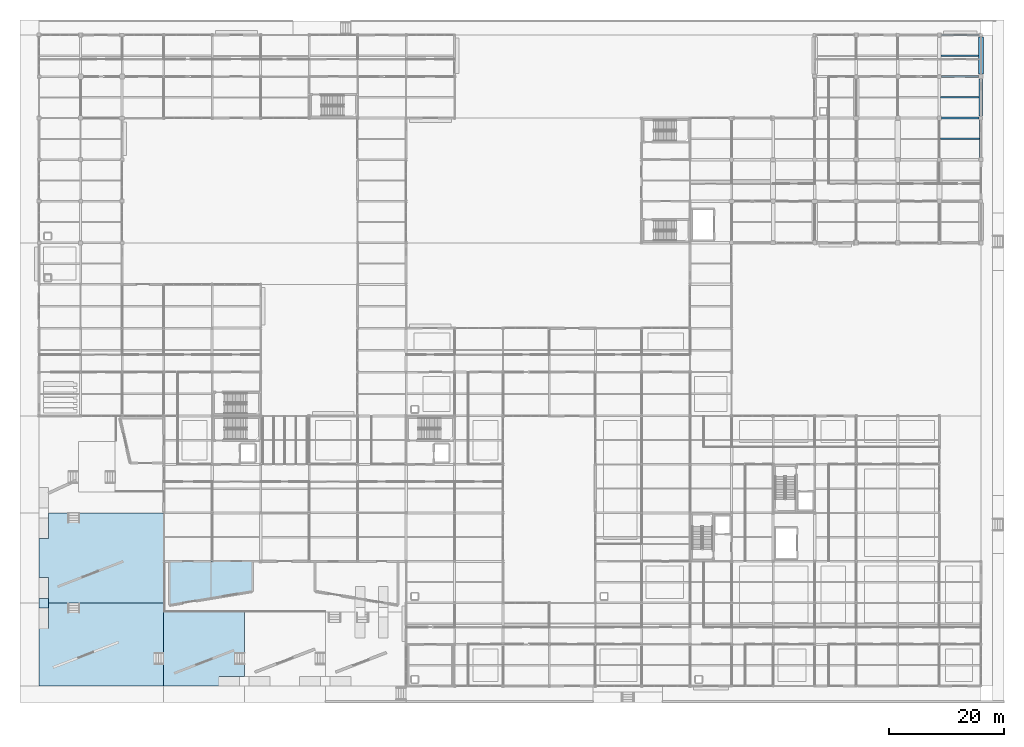
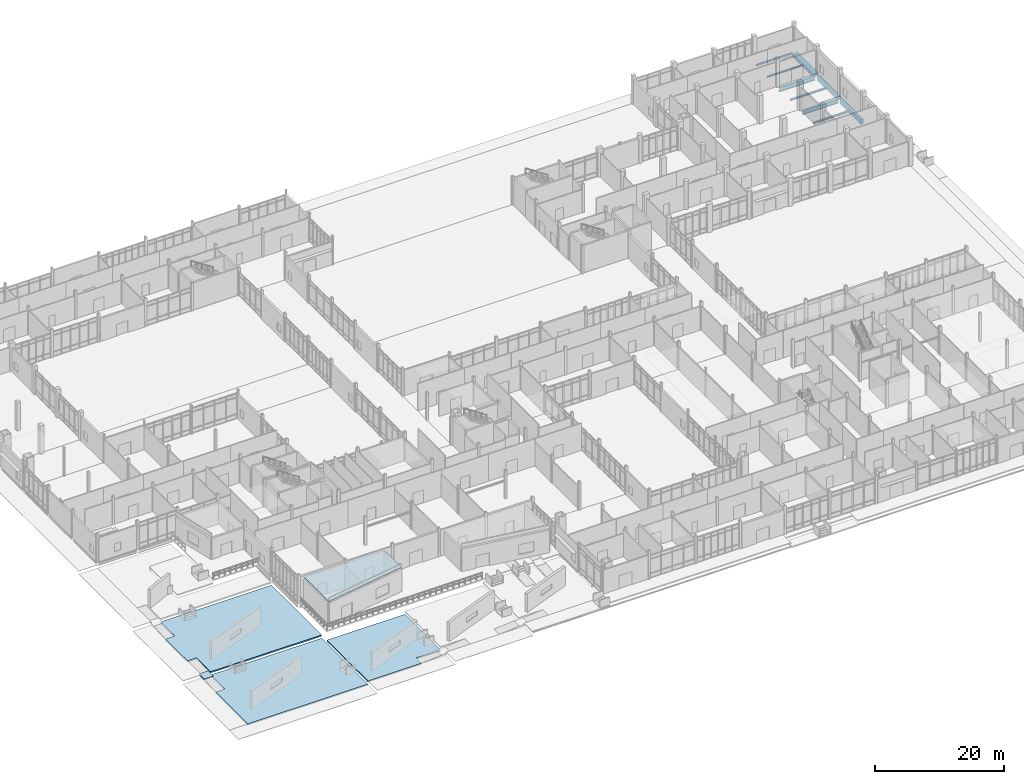
# One storey, part 137 of 229: 9 beams, 5 slabs, 1 element without a shape of its own.
"""IFC4 building model written with IfcOpenShell, lengths in metres."""

from ifc_helpers import new_model, si_unit, direction, frame, origin, origin_2d, place, context, subcontext, project, spatial, polyline, rectangle, hollow_rectangle, i_section, outline, extrude, material, layer, layer_set, material_profile, profile_set, type_object, element, aggregate, save


model = new_model("IFC4")

# Units and contexts
model_context = context("Model", 3, precision=1e-05, world=origin(), true_north=direction((0.0, 1.0)))
body_context = subcontext(model_context, "Body", "Model", "MODEL_VIEW")
ifc_project = project(units=[si_unit("LENGTHUNIT", "METRE"), si_unit("AREAUNIT", "SQUARE_METRE"), si_unit("VOLUMEUNIT", "CUBIC_METRE"), si_unit("PLANEANGLEUNIT", "RADIAN"), si_unit("MASSUNIT", "GRAM", prefix="KILO")], contexts=[model_context])

# Site, building, storey
site_placement = place(None, origin())
site = spatial("IfcSite", under=ifc_project, at=site_placement, CompositionType="ELEMENT")
building_placement = place(site_placement, origin())
building = spatial("IfcBuilding", under=site, at=building_placement, Name="Calvrana Isthmian Art Gallery", CompositionType="ELEMENT")
storey_placement = place(building_placement, origin())
storey = spatial("IfcBuildingStorey", under=building, at=storey_placement, Name="L00", CompositionType="ELEMENT", Elevation=0.0)

# Beams
ifc_material_1 = material(Name="Steel ASTM A992 Gr 50", Category="steel")
ifc_material_profile_1 = material_profile(ifc_material_1, i_section(OverallWidth=0.381103515625, OverallDepth=0.77197265625, WebThickness=0.0166015625, FlangeThickness=0.027099609375, FilletRadius=0.02490234375, at=origin_2d()), Name="W30X173")
ifc_profile_set_1 = profile_set([ifc_material_profile_1], Name="Steel ASTM A992 Gr 50")
beam_type_1 = type_object("IfcBeamType", Name="BM-G-W30X173", PredefinedType="BEAM", material=ifc_profile_set_1)
beam_1_placement = place(storey_placement, frame((156.39990234375, 98.39990234375, -0.740966796875), z_axis=(1.0, 0.0, 0.0), x_axis=(0.0, 1.0, 0.0)))
element("IfcBeam", 1, at=beam_1_placement, inside=storey, type_object=beam_type_1, Name="Girder X L00 21-22/N", PredefinedType="BEAM", context=body_context, shape_type="SweptSolid", body=[
    extrude(i_section(OverallWidth=0.381103515625, OverallDepth=0.77197265625, WebThickness=0.0166015625, FlangeThickness=0.027099609375, FilletRadius=0.02490234375, at=origin_2d()), origin(), (0.0, 0.0, 1.0), 6.4501953125),
])
beam_2_placement = place(storey_placement, frame((156.35009765625, 105.60009765625, -0.740966796875), z_axis=(1.0, 0.0, 0.0), x_axis=(0.0, 1.0, 0.0)))
element("IfcBeam", 2, at=beam_2_placement, inside=storey, type_object=beam_type_1, Name="Girder X L00 21-22/O", PredefinedType="BEAM", context=body_context, shape_type="SweptSolid", body=[
    extrude(i_section(OverallWidth=0.381103515625, OverallDepth=0.77197265625, WebThickness=0.0166015625, FlangeThickness=0.027099609375, FilletRadius=0.02490234375, at=origin_2d()), origin(), (0.0, 0.0, 1.0), 6.449951171875),
])
ifc_material_profile_2 = material_profile(ifc_material_1, i_section(OverallWidth=0.202880859375, OverallDepth=0.302001953125, WebThickness=0.007568359375, FlangeThickness=0.01318359375, FilletRadius=0.01611328125, at=origin_2d()), Name="W12X40")
ifc_profile_set_2 = profile_set([ifc_material_profile_2], Name="Steel ASTM A992 Gr 50")
beam_type_2 = type_object("IfcBeamType", Name="BM-J-W12X40", PredefinedType="JOIST", material=ifc_profile_set_2)
beam_3_placement = place(storey_placement, frame((156.300048828125, 109.199951171875, -0.506103515625), z_axis=(1.0, 0.0, 0.0), x_axis=(0.0, 1.0, 0.0)))
element("IfcBeam", 3, at=beam_3_placement, inside=storey, type_object=beam_type_2, Name="Composite joist L00 bay 20-14", PredefinedType="JOIST", context=body_context, shape_type="SweptSolid", body=[
    extrude(i_section(OverallWidth=0.202880859375, OverallDepth=0.302001953125, WebThickness=0.007568359375, FlangeThickness=0.01318359375, FilletRadius=0.01611328125, at=origin_2d()), origin(), (0.0, 0.0, 1.0), 6.449951171875),
])
ifc_material_profile_3 = material_profile(ifc_material_1, i_section(OverallWidth=0.25390625, OverallDepth=0.306884765625, WebThickness=0.0087890625, FlangeThickness=0.0146484375, FilletRadius=0.01611328125, at=origin_2d()), Name="W12X53")
ifc_profile_set_3 = profile_set([ifc_material_profile_3], Name="Steel ASTM A992 Gr 50")
beam_type_3 = type_object("IfcBeamType", Name="BM-J-W12X53", PredefinedType="JOIST", material=ifc_profile_set_3)
beam_4_placement = place(storey_placement, frame((156.22509765625, 102.0, -0.508544921875), z_axis=(1.0, 0.0, 0.0), x_axis=(0.0, 1.0, 0.0)))
element("IfcBeam", 4, at=beam_4_placement, inside=storey, type_object=beam_type_3, Name="Composite joist L00 bay 20-13", PredefinedType="JOIST", context=body_context, shape_type="SweptSolid", body=[
    extrude(i_section(OverallWidth=0.25390625, OverallDepth=0.306884765625, WebThickness=0.0087890625, FlangeThickness=0.0146484375, FilletRadius=0.01611328125, at=origin_2d()), origin(), (0.0, 0.0, 1.0), 6.6748046875),
])
ifc_material_profile_4 = material_profile(ifc_material_1, i_section(OverallWidth=0.25390625, OverallDepth=0.35302734375, WebThickness=0.009521484375, FlangeThickness=0.016357421875, FilletRadius=0.01806640625, at=origin_2d()), Name="W14X61")
ifc_profile_set_4 = profile_set([ifc_material_profile_4], Name="Steel ASTM A992 Gr 50")
beam_type_4 = type_object("IfcBeamType", Name="BM-J-W14X61", PredefinedType="JOIST", material=ifc_profile_set_4)
beam_5_placement = place(storey_placement, frame((156.199951171875, 94.800048828125, -0.531494140625), z_axis=(1.0, 0.0, 0.0), x_axis=(0.0, 1.0, 0.0)))
element("IfcBeam", 5, at=beam_5_placement, inside=storey, type_object=beam_type_4, Name="Composite joist L00 bay 20-12", PredefinedType="JOIST", context=body_context, shape_type="SweptSolid", body=[
    extrude(i_section(OverallWidth=0.25390625, OverallDepth=0.35302734375, WebThickness=0.009521484375, FlangeThickness=0.016357421875, FilletRadius=0.01806640625, at=origin_2d()), origin(), (0.0, 0.0, 1.0), 6.775146484375),
])
ifc_material_2 = material(Name="Concrete C40/50", Category="concrete")
ifc_material_profile_5 = material_profile(ifc_material_2, rectangle(XDim=0.449951171875, YDim=0.85009765625, at=origin_2d()), Name="RC450X850")
ifc_profile_set_5 = profile_set([ifc_material_profile_5], Name="Concrete C40/50")
beam_type_5 = type_object("IfcBeamType", Name="BM-RC-450X850", PredefinedType="BEAM", material=ifc_profile_set_5)
beam_6_placement = place(storey_placement, frame((163.199951171875, 91.60009765625, -0.780029296875), z_axis=(0.0, 1.0, 0.0), x_axis=(-1.0, 0.0, 0.0)))
element("IfcBeam", 6, at=beam_6_placement, inside=storey, type_object=beam_type_5, Name="Girder Y L00 22/M-N", PredefinedType="BEAM", context=body_context, shape_type="SweptSolid", body=[
    extrude(rectangle(XDim=0.449951171875, YDim=0.85009765625, at=origin_2d()), origin(), (0.0, 0.0, 1.0), 6.449951171875),
])
ifc_material_profile_6 = material_profile(ifc_material_2, rectangle(XDim=0.60009765625, YDim=0.60009765625, at=origin_2d()), Name="RC600X600")
ifc_profile_set_6 = profile_set([ifc_material_profile_6], Name="Concrete C40/50")
beam_type_6 = type_object("IfcBeamType", Name="BM-RC-600X600", PredefinedType="BEAM", material=ifc_profile_set_6)
beam_7_placement = place(storey_placement, frame((163.199951171875, 98.75, -0.655029296875), z_axis=(0.0, 1.0, 0.0), x_axis=(-1.0, 0.0, 0.0)))
element("IfcBeam", 7, at=beam_7_placement, inside=storey, type_object=beam_type_6, Name="Girder Y L00 22/N-O", PredefinedType="BEAM", context=body_context, shape_type="SweptSolid", body=[
    extrude(rectangle(XDim=0.60009765625, YDim=0.60009765625, at=origin_2d()), origin(), (0.0, 0.0, 1.0), 6.449951171875),
])
ifc_material_profile_7 = material_profile(ifc_material_2, rectangle(XDim=0.89990234375, YDim=0.60009765625, at=origin_2d()), Name="RC900X600")
ifc_profile_set_7 = profile_set([ifc_material_profile_7], Name="Concrete C40/50")
beam_type_7 = type_object("IfcBeamType", Name="BM-RC-900X600", PredefinedType="BEAM", material=ifc_profile_set_7)
beam_8_placement = place(storey_placement, frame((163.199951171875, 106.0, -0.655029296875), z_axis=(0.0, 1.0, 0.0), x_axis=(-1.0, 0.0, 0.0)))
element("IfcBeam", 8, at=beam_8_placement, inside=storey, type_object=beam_type_7, Name="Girder Y L00 22/O-P", PredefinedType="BEAM", context=body_context, shape_type="SweptSolid", body=[
    extrude(rectangle(XDim=0.89990234375, YDim=0.60009765625, at=origin_2d()), origin(), (0.0, 0.0, 1.0), 6.449951171875),
])
ifc_material_3 = material(Name="Steel ASTM A500 Gr C", Category="steel")
ifc_material_profile_8 = material_profile(ifc_material_3, hollow_rectangle(XDim=0.203125, YDim=0.3046875, WallThickness=0.0126953125, OuterFilletRadius=0.02490234375, at=origin_2d()), Name="HSS305X203X12.7")
ifc_profile_set_8 = profile_set([ifc_material_profile_8], Name="Steel ASTM A500 Gr C")
beam_type_8 = type_object("IfcBeamType", Name="BM-SP-HSS305", PredefinedType="SPANDREL", material=ifc_profile_set_8)
beam_9_placement = place(storey_placement, frame((156.39990234375, 112.800048828125, -0.50732421875), z_axis=(1.0, 0.0, 0.0), x_axis=(0.0, 1.0, 0.0)))
element("IfcBeam", 9, at=beam_9_placement, inside=storey, type_object=beam_type_8, Name="Girder X L00 21-22/P", PredefinedType="SPANDREL", context=body_context, shape_type="SweptSolid", body=[
    extrude(hollow_rectangle(XDim=0.203125, YDim=0.3046875, WallThickness=0.0126953125, OuterFilletRadius=0.02490234375, at=origin_2d()), origin(), (0.0, 0.0, 1.0), 6.4501953125),
])

# Ramp, slab
ramp_type = type_object("IfcRampType", Name="RMP-SENADIS-165", PredefinedType="STRAIGHT_RUN_RAMP", material=ifc_material_2)
ramp_placement = place(storey_placement, origin())
ramp = element("IfcRamp", 10, at=ramp_placement, inside=storey, type_object=ramp_type, Name="SENADIS universal access ramp RMP-01", PredefinedType="STRAIGHT_RUN_RAMP")
ifc_layer_1 = layer(ifc_material_2, 0.199951171875, Name="Concrete C40/50")
ifc_layer_set_1 = layer_set([ifc_layer_1], Name="Concrete C40/50")
slab_type_1 = type_object("IfcSlabType", Name="SLB-LAND-200", PredefinedType="LANDING", material=ifc_layer_set_1)
slab_1_placement = place(storey_placement, frame((0.0, 0.0, -2.300048828125)))
slab_1 = element("IfcSlab", 11, at=slab_1_placement, type_object=slab_type_1, Name="Ramp RMP-01 intermediate landing", PredefinedType="LANDING", context=body_context, shape_type="SweptSolid", body=[
    extrude(outline(polyline([(0.0, 13.550048828125), (1.64990234375, 13.550048828125), (1.64990234375, 15.199951171875), (0.0, 15.199951171875), (0.0, 13.550048828125)])), origin(), (0.0, 0.0, 1.0), 0.199951171875),
])
aggregate(ramp, [slab_1])

# Slabs
ifc_layer_2 = layer(ifc_material_2, 0.199951171875, Name="Concrete C40/50")
ifc_layer_set_2 = layer_set([ifc_layer_2], Name="Concrete C40/50")
slab_type_2 = type_object("IfcSlabType", Name="SLB-ROOF-200", PredefinedType="ROOF", material=ifc_layer_set_2)
slab_2_placement = place(storey_placement, frame((0.0, 0.0, 4.300048828125)))
element("IfcSlab", 12, at=slab_2_placement, inside=storey, type_object=slab_type_2, Name="Sunken base pavilion roof PAV_EDU_SW", PredefinedType="ROOF", context=body_context, shape_type="SweptSolid", body=[
    extrude(outline(polyline([(22.60009765625, 14.0), (37.0, 16.39990234375), (37.0, 21.60009765625), (22.60009765625, 21.60009765625), (22.60009765625, 14.0)])), origin(), (0.0, 0.0, 1.0), 0.199951171875),
])
ifc_layer_3 = layer(ifc_material_2, 0.199951171875, Name="Concrete C40/50")
ifc_layer_set_3 = layer_set([ifc_layer_3], Name="Concrete C40/50")
slab_type_3 = type_object("IfcSlabType", Name="SLB-TER-200", PredefinedType="FLOOR", material=ifc_layer_set_3)
slab_3_placement = place(storey_placement, frame((0.0, 0.0, -2.64990234375)))
element("IfcSlab", 13, at=slab_3_placement, inside=storey, type_object=slab_type_3, Name="Stepped hillside sculpture court deck COURT_STEP_1", PredefinedType="FLOOR", context=body_context, shape_type="SweptSolid", body=[
    extrude(outline(polyline([(21.60009765625, 14.39990234375), (21.60009765625, 0.0), (0.0, 0.0), (0.0, 9.989990234375), (1.669921875, 9.989990234375), (1.669921875, 14.39990234375), (21.60009765625, 14.39990234375)])), origin(), (0.0, 0.0, 1.0), 0.25),
])
slab_4_placement = place(storey_placement, frame((0.0, 0.0, -2.050048828125)))
element("IfcSlab", 14, at=slab_4_placement, inside=storey, type_object=slab_type_3, Name="Stepped hillside sculpture court deck COURT_STEP_2W", PredefinedType="FLOOR", context=body_context, shape_type="SweptSolid", body=[
    extrude(outline(polyline([(21.60009765625, 30.0), (21.60009765625, 14.39990234375), (1.669921875, 14.39990234375), (1.669921875, 18.760009765625), (0.0, 18.760009765625), (0.0, 25.590087890625), (1.669921875, 25.590087890625), (1.669921875, 30.0), (21.60009765625, 30.0)])), origin(), (0.0, 0.0, 1.0), 0.25),
])
slab_5_placement = place(storey_placement, frame((0.0, 0.0, -2.050048828125)))
element("IfcSlab", 15, at=slab_5_placement, inside=storey, type_object=slab_type_3, Name="Stepped hillside sculpture court deck COURT_STEP_2S", PredefinedType="FLOOR", context=body_context, shape_type="SweptSolid", body=[
    extrude(outline(polyline([(21.60009765625, 0.0), (21.60009765625, 12.800048828125), (35.60009765625, 12.800048828125), (35.60009765625, 1.669921875), (31.18994140625, 1.669921875), (31.18994140625, 0.0), (21.60009765625, 0.0)])), origin(), (0.0, 0.0, 1.0), 0.25),
])

save(model, "model.ifc")
